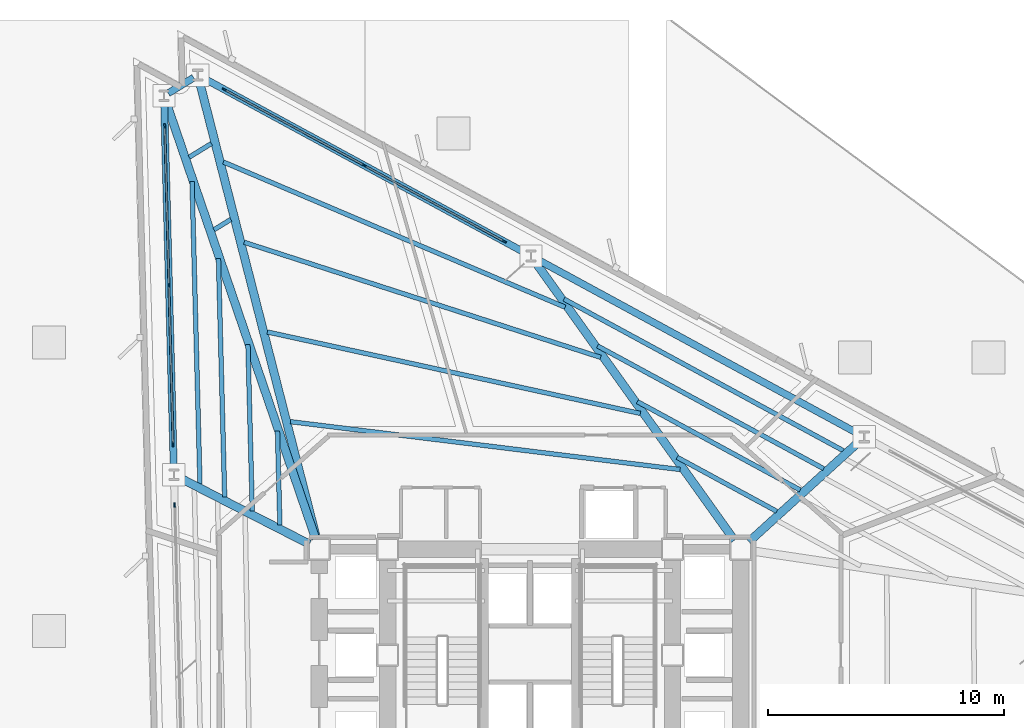
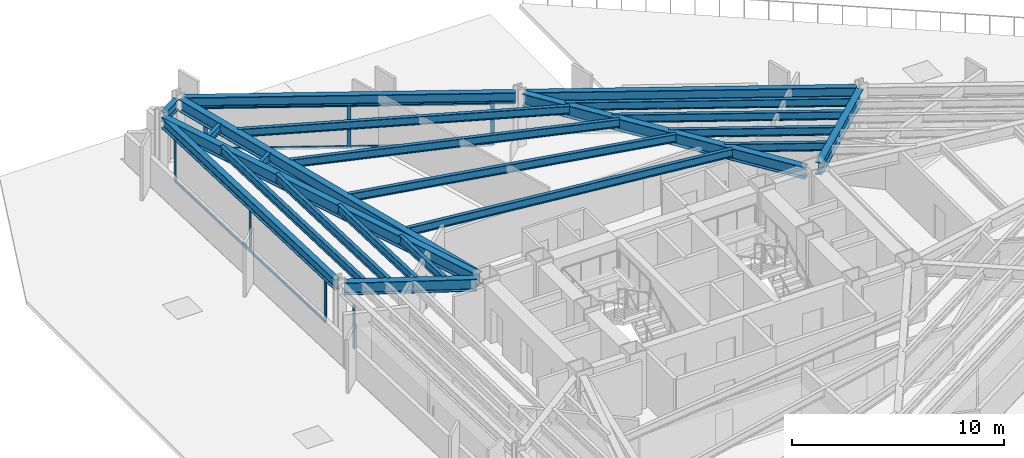
# One storey, part 5 of 13: 23 beams, 15 members, 3 elements without a shape of their own.
"""IFC4 building model written with IfcOpenShell, lengths in metres."""

from ifc_helpers import new_model, si_unit, direction, frame, origin, origin_2d, place, context, subcontext, project, spatial, rectangle, i_section, extrude, material, layer, layer_set, material_profile, profile_set, type_object, element, aggregate, save


model = new_model("IFC4")

# Units and contexts
model_context = context("Model", 3, precision=1e-05, world=origin(), true_north=direction((0.0, 1.0)))
body_context = subcontext(model_context, "Body", "Model", "MODEL_VIEW")
ifc_project = project(units=[si_unit("LENGTHUNIT", "METRE"), si_unit("AREAUNIT", "SQUARE_METRE"), si_unit("VOLUMEUNIT", "CUBIC_METRE"), si_unit("PLANEANGLEUNIT", "RADIAN"), si_unit("MASSUNIT", "GRAM", prefix="KILO")], contexts=[model_context])

# Site, building, storey
site_placement = place(None, origin())
site = spatial("IfcSite", under=ifc_project, at=site_placement, CompositionType="ELEMENT")
building_placement = place(site_placement, origin())
building = spatial("IfcBuilding", under=site, at=building_placement, Name="Rocaltana Carrier Exchange", CompositionType="ELEMENT")
storey_placement = place(building_placement, frame((0.0, 0.0, 18.8798828125)))
storey = spatial("IfcBuildingStorey", under=building, at=storey_placement, Name="L06", CompositionType="ELEMENT", Elevation=18.8798828125)

# Curtain wall, members
ifc_material_1 = material(Name="Aluminium 6063-T6", Category="aluminium")
ifc_layer = layer(ifc_material_1, 0.179931640625)
ifc_layer_set = layer_set([ifc_layer], Name="Aluminium 6063-T6")
curtain_wall_type = type_object("IfcCurtainWallType", Name="Sandstone Spandrel Unitised Curtain Wall CW-01", PredefinedType="NOTDEFINED", material=ifc_layer_set)
curtain_wall_1_placement = place(storey_placement, origin())
curtain_wall_1 = element("IfcCurtainWall", 1, at=curtain_wall_1_placement, inside=storey, type_object=curtain_wall_type, Name="L06 CW-01 Run CW-L06-F1S3", PredefinedType="NOTDEFINED")
ifc_material_2 = material(Name="Aluminium 6063-T6", Category="aluminium")
ifc_material_profile_1 = material_profile(ifc_material_2, rectangle(XDim=0.06494140625, YDim=0.179931640625, at=origin_2d()), Name="AL-65X180")
ifc_profile_set_1 = profile_set([ifc_material_profile_1], Name="Aluminium 6063-T6")
member_type_1 = type_object("IfcMemberType", Name="CW-01 Mullion AL-65X180", PredefinedType="MULLION", material=ifc_profile_set_1)
member_1_placement = place(storey_placement, frame((-1.08447265625, 17.5615234375, 0.0), z_axis=(0.0, 0.0, 1.0), x_axis=(-0.477155794406, -0.878818722982, 0.0)))
member_1 = element("IfcMember", 2, at=member_1_placement, type_object=member_type_1, Name="CW-01 mullion 1", PredefinedType="MULLION", context=body_context, shape_type="SweptSolid", body=[
    extrude(rectangle(XDim=0.06494140625, YDim=0.179931640625, at=origin_2d()), origin(), (0.0, 0.0, 1.0), 2.47802734375),
])
member_2_placement = place(storey_placement, frame((-7.03173828125, 20.79052734375, 0.0), z_axis=(0.0, 0.0, 1.0), x_axis=(-0.477155794406, -0.878818722982, 0.0)))
member_2 = element("IfcMember", 3, at=member_2_placement, type_object=member_type_1, Name="CW-01 mullion 2", PredefinedType="MULLION", context=body_context, shape_type="SweptSolid", body=[
    extrude(rectangle(XDim=0.06494140625, YDim=0.179931640625, at=origin_2d()), origin(), (0.0, 0.0, 1.0), 2.47802734375),
])
member_3_placement = place(storey_placement, frame((-12.979248046875, 24.019775390625, 0.0), z_axis=(0.0, 0.0, 1.0), x_axis=(-0.477155794406, -0.878818722982, 0.0)))
member_3 = element("IfcMember", 4, at=member_3_placement, type_object=member_type_1, Name="CW-01 mullion 3", PredefinedType="MULLION", context=body_context, shape_type="SweptSolid", body=[
    extrude(rectangle(XDim=0.06494140625, YDim=0.179931640625, at=origin_2d()), origin(), (0.0, 0.0, 1.0), 2.47802734375),
])

curtain_wall_2_placement = place(storey_placement, origin())
curtain_wall_2 = element("IfcCurtainWall", 5, at=curtain_wall_2_placement, inside=storey, type_object=curtain_wall_type, Name="L06 CW-01 Run CW-L06-F2S1", PredefinedType="NOTDEFINED")
member_4_placement = place(storey_placement, frame((-15.50927734375, 22.46923828125, 0.0), z_axis=(0.0, 0.0, 1.0), x_axis=(0.999657143044, 0.026183895077, 0.0)))
member_4 = element("IfcMember", 6, at=member_4_placement, type_object=member_type_1, Name="CW-01 mullion 1", PredefinedType="MULLION", context=body_context, shape_type="SweptSolid", body=[
    extrude(rectangle(XDim=0.06494140625, YDim=0.179931640625, at=origin_2d()), origin(), (0.0, 0.0, 1.0), 2.47802734375),
])
member_5_placement = place(storey_placement, frame((-15.33203125, 15.7041015625, 0.0), z_axis=(0.0, 0.0, 1.0), x_axis=(0.999657143044, 0.026183895077, 0.0)))
member_5 = element("IfcMember", 7, at=member_5_placement, type_object=member_type_1, Name="CW-01 mullion 2", PredefinedType="MULLION", context=body_context, shape_type="SweptSolid", body=[
    extrude(rectangle(XDim=0.06494140625, YDim=0.179931640625, at=origin_2d()), origin(), (0.0, 0.0, 1.0), 2.47802734375),
])
member_6_placement = place(storey_placement, frame((-15.155029296875, 8.93896484375, 0.0), z_axis=(0.0, 0.0, 1.0), x_axis=(0.999657143044, 0.026183895077, 0.0)))
member_6 = element("IfcMember", 8, at=member_6_placement, type_object=member_type_1, Name="CW-01 mullion 3", PredefinedType="MULLION", context=body_context, shape_type="SweptSolid", body=[
    extrude(rectangle(XDim=0.06494140625, YDim=0.179931640625, at=origin_2d()), origin(), (0.0, 0.0, 1.0), 2.47802734375),
])

# Curtain wall, member
curtain_wall_3_placement = place(storey_placement, origin())
curtain_wall_3 = element("IfcCurtainWall", 9, at=curtain_wall_3_placement, inside=storey, type_object=curtain_wall_type, Name="L06 CW-01 Run CW-L06-F2S2", PredefinedType="NOTDEFINED")
member_7_placement = place(storey_placement, frame((-15.087890625, 6.374755859375, 0.0), z_axis=(0.0, 0.0, 1.0), x_axis=(0.99965733548, 0.026176547142, 0.0)))
member_7 = element("IfcMember", 10, at=member_7_placement, type_object=member_type_1, Name="CW-01 mullion 1", PredefinedType="MULLION", context=body_context, shape_type="SweptSolid", body=[
    extrude(rectangle(XDim=0.06494140625, YDim=0.179931640625, at=origin_2d()), origin(), (0.0, 0.0, 1.0), 2.47802734375),
])
aggregate(curtain_wall_3, [member_7])

# Member
ifc_material_3 = material(Name="Aluminium 6063-T6", Category="aluminium")
ifc_material_profile_2 = material_profile(ifc_material_3, rectangle(XDim=0.06494140625, YDim=0.179931640625, at=origin_2d()), Name="AL-65X180")
ifc_profile_set_2 = profile_set([ifc_material_profile_2], Name="Aluminium 6063-T6")
member_type_2 = type_object("IfcMemberType", Name="CW-01 Transom AL-65X180", PredefinedType="USERDEFINED", material=ifc_profile_set_2)
member_8_placement = place(storey_placement, frame((-1.113037109375, 17.576904296875, 0.03271484375), z_axis=(-0.87880717191, 0.477177068392, 0.0), x_axis=(-0.477177068392, -0.87880717191, 0.0)))
member_8 = element("IfcMember", 11, at=member_8_placement, type_object=member_type_2, Name="CW-01 transom 1.1", ObjectType="TRANSOM", PredefinedType="USERDEFINED", context=body_context, shape_type="SweptSolid", body=[
    extrude(rectangle(XDim=0.06494140625, YDim=0.179931640625, at=origin_2d()), origin(), (0.0, 0.0, 1.0), 6.702392578125),
])

member_9_placement = place(storey_placement, frame((-1.113037109375, 17.576904296875, 2.445556640625), z_axis=(-0.87880717191, 0.477177068392, 0.0), x_axis=(-0.477177068392, -0.87880717191, 0.0)))
member_9 = element("IfcMember", 12, at=member_9_placement, type_object=member_type_2, Name="CW-01 transom 1.2", ObjectType="TRANSOM", PredefinedType="USERDEFINED", context=body_context, shape_type="SweptSolid", body=[
    extrude(rectangle(XDim=0.06494140625, YDim=0.179931640625, at=origin_2d()), origin(), (0.0, 0.0, 1.0), 6.702392578125),
])

member_10_placement = place(storey_placement, frame((-7.060302734375, 20.80615234375, 0.03271484375), z_axis=(-0.878830739565, 0.477133661772, 0.0), x_axis=(-0.477133661772, -0.878830739565, 0.0)))
member_10 = element("IfcMember", 13, at=member_10_placement, type_object=member_type_2, Name="CW-01 transom 2.1", ObjectType="TRANSOM", PredefinedType="USERDEFINED", context=body_context, shape_type="SweptSolid", body=[
    extrude(rectangle(XDim=0.06494140625, YDim=0.179931640625, at=origin_2d()), origin(), (0.0, 0.0, 1.0), 6.70263671875),
])

member_11_placement = place(storey_placement, frame((-7.060302734375, 20.80615234375, 2.445556640625), z_axis=(-0.878830739565, 0.477133661772, 0.0), x_axis=(-0.477133661772, -0.878830739565, 0.0)))
member_11 = element("IfcMember", 14, at=member_11_placement, type_object=member_type_2, Name="CW-01 transom 2.2", ObjectType="TRANSOM", PredefinedType="USERDEFINED", context=body_context, shape_type="SweptSolid", body=[
    extrude(rectangle(XDim=0.06494140625, YDim=0.179931640625, at=origin_2d()), origin(), (0.0, 0.0, 1.0), 6.70263671875),
])

aggregate(curtain_wall_1, [member_1, member_2, member_3, member_8, member_9, member_10, member_11])

member_12_placement = place(storey_placement, frame((-15.508544921875, 22.436767578125, 0.03271484375), z_axis=(0.026189818331, -0.999656987879, 0.0), x_axis=(0.999656987879, 0.026189818331, 0.0)))
member_12 = element("IfcMember", 15, at=member_12_placement, type_object=member_type_2, Name="CW-01 transom 1.1", ObjectType="TRANSOM", PredefinedType="USERDEFINED", context=body_context, shape_type="SweptSolid", body=[
    extrude(rectangle(XDim=0.06494140625, YDim=0.179931640625, at=origin_2d()), origin(), (0.0, 0.0, 1.0), 6.702392578125),
])

member_13_placement = place(storey_placement, frame((-15.508544921875, 22.436767578125, 2.445556640625), z_axis=(0.026189818331, -0.999656987879, 0.0), x_axis=(0.999656987879, 0.026189818331, 0.0)))
member_13 = element("IfcMember", 16, at=member_13_placement, type_object=member_type_2, Name="CW-01 transom 1.2", ObjectType="TRANSOM", PredefinedType="USERDEFINED", context=body_context, shape_type="SweptSolid", body=[
    extrude(rectangle(XDim=0.06494140625, YDim=0.179931640625, at=origin_2d()), origin(), (0.0, 0.0, 1.0), 6.702392578125),
])

member_14_placement = place(storey_placement, frame((-15.331298828125, 15.671630859375, 0.03271484375), z_axis=(0.026189818331, -0.999656987879, 0.0), x_axis=(0.999656987879, 0.026189818331, 0.0)))
member_14 = element("IfcMember", 17, at=member_14_placement, type_object=member_type_2, Name="CW-01 transom 2.1", ObjectType="TRANSOM", PredefinedType="USERDEFINED", context=body_context, shape_type="SweptSolid", body=[
    extrude(rectangle(XDim=0.06494140625, YDim=0.179931640625, at=origin_2d()), origin(), (0.0, 0.0, 1.0), 6.702392578125),
])

member_15_placement = place(storey_placement, frame((-15.331298828125, 15.671630859375, 2.445556640625), z_axis=(0.026189818331, -0.999656987879, 0.0), x_axis=(0.999656987879, 0.026189818331, 0.0)))
member_15 = element("IfcMember", 18, at=member_15_placement, type_object=member_type_2, Name="CW-01 transom 2.2", ObjectType="TRANSOM", PredefinedType="USERDEFINED", context=body_context, shape_type="SweptSolid", body=[
    extrude(rectangle(XDim=0.06494140625, YDim=0.179931640625, at=origin_2d()), origin(), (0.0, 0.0, 1.0), 6.702392578125),
])

aggregate(curtain_wall_2, [member_4, member_5, member_6, member_12, member_13, member_14, member_15])

# Beams
ifc_material_4 = material(Name="Steel S355", Category="steel")
ifc_material_profile_3 = material_profile(ifc_material_4, i_section(OverallWidth=0.193115234375, OverallDepth=0.466064453125, WebThickness=0.011474609375, FlangeThickness=0.01904296875, FilletRadius=0.013916015625, at=origin_2d()), Name="W18X65")
ifc_profile_set_3 = profile_set([ifc_material_profile_3], Name="Steel S355")
beam_type_1 = type_object("IfcBeamType", Name="Floor Joist W18X65", PredefinedType="JOIST", material=ifc_profile_set_3)
beam_1_placement = place(storey_placement, frame((10.4765625, 6.107421875, 2.865234375), z_axis=(-0.87880781256, 0.477175888518, 0.0), x_axis=(-0.477175888518, -0.87880781256, 0.0)))
element("IfcBeam", 19, at=beam_1_placement, inside=storey, type_object=beam_type_1, Name="FJ-L06-02-1", PredefinedType="JOIST", context=body_context, shape_type="SweptSolid", body=[
    extrude(i_section(OverallWidth=0.193115234375, OverallDepth=0.466064453125, WebThickness=0.011474609375, FlangeThickness=0.01904296875, FilletRadius=0.013916015625, at=origin_2d()), origin(), (0.0, 0.0, 1.0), 4.808837890625),
])
beam_2_placement = place(storey_placement, frame((11.472412109375, 7.01318359375, 2.865234375), z_axis=(-0.878817742056, 0.477157601059, 0.0), x_axis=(-0.477157601059, -0.878817742056, 0.0)))
element("IfcBeam", 20, at=beam_2_placement, inside=storey, type_object=beam_type_1, Name="FJ-L06-02-2", PredefinedType="JOIST", context=body_context, shape_type="SweptSolid", body=[
    extrude(i_section(OverallWidth=0.193115234375, OverallDepth=0.466064453125, WebThickness=0.011474609375, FlangeThickness=0.01904296875, FilletRadius=0.013916015625, at=origin_2d()), origin(), (0.0, 0.0, 1.0), 7.86767578125),
])
beam_3_placement = place(storey_placement, frame((12.468505859375, 7.918701171875, 2.865234375), z_axis=(-0.878813547662, 0.477165326115, 0.0), x_axis=(-0.477165326115, -0.878813547662, 0.0)))
element("IfcBeam", 21, at=beam_3_placement, inside=storey, type_object=beam_type_1, Name="FJ-L06-02-3", PredefinedType="JOIST", context=body_context, shape_type="SweptSolid", body=[
    extrude(i_section(OverallWidth=0.193115234375, OverallDepth=0.466064453125, WebThickness=0.011474609375, FlangeThickness=0.01904296875, FilletRadius=0.013916015625, at=origin_2d()), origin(), (0.0, 0.0, 1.0), 10.92724609375),
])
beam_4_placement = place(storey_placement, frame((13.30712890625, 8.681396484375, 2.865234375), z_axis=(-0.878808808583, 0.477174054152, 0.0), x_axis=(-0.477174054152, -0.878808808583, 0.0)))
element("IfcBeam", 22, at=beam_4_placement, inside=storey, type_object=beam_type_1, Name="FJ-L06-02-4", PredefinedType="JOIST", context=body_context, shape_type="SweptSolid", body=[
    extrude(i_section(OverallWidth=0.193115234375, OverallDepth=0.466064453125, WebThickness=0.011474609375, FlangeThickness=0.01904296875, FilletRadius=0.013916015625, at=origin_2d()), origin(), (0.0, 0.0, 1.0), 13.503173828125),
])
beam_5_placement = place(storey_placement, frame((6.374755859375, 7.882080078125, 2.865234375), z_axis=(-0.992538792143, 0.121929266752, 0.0), x_axis=(-0.121929266752, -0.992538792143, 0.0)))
element("IfcBeam", 23, at=beam_5_placement, inside=storey, type_object=beam_type_1, Name="FJ-L06-03-1", PredefinedType="JOIST", context=body_context, shape_type="SweptSolid", body=[
    extrude(i_section(OverallWidth=0.193115234375, OverallDepth=0.466064453125, WebThickness=0.011474609375, FlangeThickness=0.01904296875, FilletRadius=0.013916015625, at=origin_2d()), origin(), (0.0, 0.0, 1.0), 16.671142578125),
])
beam_6_placement = place(storey_placement, frame((4.68505859375, 10.26318359375, 2.865234375), z_axis=(-0.976950483749, 0.213466044848, 0.0), x_axis=(-0.213466044848, -0.976950483749, 0.0)))
element("IfcBeam", 24, at=beam_6_placement, inside=storey, type_object=beam_type_1, Name="FJ-L06-03-2", PredefinedType="JOIST", context=body_context, shape_type="SweptSolid", body=[
    extrude(i_section(OverallWidth=0.193115234375, OverallDepth=0.466064453125, WebThickness=0.011474609375, FlangeThickness=0.01904296875, FilletRadius=0.013916015625, at=origin_2d()), origin(), (0.0, 0.0, 1.0), 16.213134765625),
])
beam_7_placement = place(storey_placement, frame((2.9970703125, 12.644775390625, 2.865234375), z_axis=(-0.951601211607, 0.307335539872, 0.0), x_axis=(-0.307335539872, -0.951601211607, 0.0)))
element("IfcBeam", 25, at=beam_7_placement, inside=storey, type_object=beam_type_1, Name="FJ-L06-03-3", PredefinedType="JOIST", context=body_context, shape_type="SweptSolid", body=[
    extrude(i_section(OverallWidth=0.193115234375, OverallDepth=0.466064453125, WebThickness=0.011474609375, FlangeThickness=0.01904296875, FilletRadius=0.013916015625, at=origin_2d()), origin(), (0.0, 0.0, 1.0), 15.905029296875),
])
beam_8_placement = place(storey_placement, frame((1.48828125, 14.775634765625, 2.865234375), z_axis=(-0.920350290518, 0.391095055891, 0.0), x_axis=(-0.391095055891, -0.920350290518, 0.0)))
element("IfcBeam", 26, at=beam_8_placement, inside=storey, type_object=beam_type_1, Name="FJ-L06-03-4", PredefinedType="JOIST", context=body_context, shape_type="SweptSolid", body=[
    extrude(i_section(OverallWidth=0.193115234375, OverallDepth=0.466064453125, WebThickness=0.011474609375, FlangeThickness=0.01904296875, FilletRadius=0.013916015625, at=origin_2d()), origin(), (0.0, 0.0, 1.0), 15.76416015625),
])
beam_9_placement = place(storey_placement, frame((-12.70556640625, 18.502685546875, 2.865234375), z_axis=(-0.852508958132, -0.522712613493, 0.0), x_axis=(0.522712613493, -0.852508958132, 0.0)))
element("IfcBeam", 27, at=beam_9_placement, inside=storey, type_object=beam_type_1, Name="FJ-L06-04-3", PredefinedType="JOIST", context=body_context, shape_type="SweptSolid", body=[
    extrude(i_section(OverallWidth=0.193115234375, OverallDepth=0.466064453125, WebThickness=0.011474609375, FlangeThickness=0.01904296875, FilletRadius=0.013916015625, at=origin_2d()), origin(), (0.0, 0.0, 1.0), 0.83642578125),
])
beam_10_placement = place(storey_placement, frame((-13.530517578125, 21.7236328125, 2.865234375), z_axis=(-0.852664692341, -0.52245853657, 0.0), x_axis=(0.52245853657, -0.852664692341, 0.0)))
element("IfcBeam", 28, at=beam_10_placement, inside=storey, type_object=beam_type_1, Name="FJ-L06-04-4", PredefinedType="JOIST", context=body_context, shape_type="SweptSolid", body=[
    extrude(i_section(OverallWidth=0.193115234375, OverallDepth=0.466064453125, WebThickness=0.011474609375, FlangeThickness=0.01904296875, FilletRadius=0.013916015625, at=origin_2d()), origin(), (0.0, 0.0, 1.0), 1.106201171875),
])
beam_11_placement = place(storey_placement, frame((-10.7255859375, 9.5263671875, 2.865234375), z_axis=(0.02615756085, -0.999657832466, 0.0), x_axis=(0.999657832466, 0.02615756085, 0.0)))
element("IfcBeam", 29, at=beam_11_placement, inside=storey, type_object=beam_type_1, Name="FJ-L06-05-1", PredefinedType="JOIST", context=body_context, shape_type="SweptSolid", body=[
    extrude(i_section(OverallWidth=0.193115234375, OverallDepth=0.466064453125, WebThickness=0.011474609375, FlangeThickness=0.01904296875, FilletRadius=0.013916015625, at=origin_2d()), origin(), (0.0, 0.0, 1.0), 4.004150390625),
])
beam_12_placement = place(storey_placement, frame((-11.978271484375, 13.18408203125, 2.865234375), z_axis=(0.026201236861, -0.999656688662, 0.0), x_axis=(0.999656688662, 0.026201236861, 0.0)))
element("IfcBeam", 30, at=beam_12_placement, inside=storey, type_object=beam_type_1, Name="FJ-L06-05-2", PredefinedType="JOIST", context=body_context, shape_type="SweptSolid", body=[
    extrude(i_section(OverallWidth=0.193115234375, OverallDepth=0.466064453125, WebThickness=0.011474609375, FlangeThickness=0.01904296875, FilletRadius=0.013916015625, at=origin_2d()), origin(), (0.0, 0.0, 1.0), 7.06298828125),
])
beam_13_placement = place(storey_placement, frame((-13.23095703125, 16.841796875, 2.865234375), z_axis=(0.026194410862, -0.99965686755, 0.0), x_axis=(0.99965686755, 0.026194410862, 0.0)))
element("IfcBeam", 31, at=beam_13_placement, inside=storey, type_object=beam_type_1, Name="FJ-L06-05-3", PredefinedType="JOIST", context=body_context, shape_type="SweptSolid", body=[
    extrude(i_section(OverallWidth=0.193115234375, OverallDepth=0.466064453125, WebThickness=0.011474609375, FlangeThickness=0.01904296875, FilletRadius=0.013916015625, at=origin_2d()), origin(), (0.0, 0.0, 1.0), 10.121826171875),
])
beam_14_placement = place(storey_placement, frame((-14.351806640625, 20.114501953125, 2.865234375), z_axis=(0.026200832731, -0.999656699254, 0.0), x_axis=(0.999656699254, 0.026200832731, 0.0)))
element("IfcBeam", 32, at=beam_14_placement, inside=storey, type_object=beam_type_1, Name="FJ-L06-05-4", PredefinedType="JOIST", context=body_context, shape_type="SweptSolid", body=[
    extrude(i_section(OverallWidth=0.193115234375, OverallDepth=0.466064453125, WebThickness=0.011474609375, FlangeThickness=0.01904296875, FilletRadius=0.013916015625, at=origin_2d()), origin(), (0.0, 0.0, 1.0), 12.85888671875),
])
ifc_material_5 = material(Name="Steel S355", Category="steel")
ifc_material_profile_4 = material_profile(ifc_material_5, i_section(OverallWidth=0.35498046875, OverallDepth=0.695068359375, WebThickness=0.015380859375, FlangeThickness=0.02490234375, FilletRadius=0.01806640625, at=origin_2d()), Name="W27X146")
ifc_profile_set_4 = profile_set([ifc_material_profile_4], Name="Steel S355")
beam_type_2 = type_object("IfcBeamType", Name="Radial Girder W27X146", PredefinedType="BEAM", material=ifc_profile_set_4)
beam_15_placement = place(storey_placement, frame((9.29541015625, 4.814208984375, 2.750732421875), z_axis=(0.73980908692, 0.672816850941, 0.0), x_axis=(-0.672816850941, 0.73980908692, 0.0)))
element("IfcBeam", 33, at=beam_15_placement, inside=storey, type_object=beam_type_2, Name="RG-L06-02", PredefinedType="BEAM", context=body_context, shape_type="SweptSolid", body=[
    extrude(i_section(OverallWidth=0.35498046875, OverallDepth=0.695068359375, WebThickness=0.015380859375, FlangeThickness=0.02490234375, FilletRadius=0.01806640625, at=origin_2d()), origin(), (0.0, 0.0, 1.0), 6.410400390625),
])
beam_16_placement = place(storey_placement, frame((8.67822265625, 4.8798828125, 2.750732421875), z_axis=(-0.581877216918, 0.813276646924, 0.0), x_axis=(-0.813276646924, -0.581877216918, 0.0)))
element("IfcBeam", 34, at=beam_16_placement, inside=storey, type_object=beam_type_2, Name="RG-L06-03", PredefinedType="BEAM", context=body_context, shape_type="SweptSolid", body=[
    extrude(i_section(OverallWidth=0.35498046875, OverallDepth=0.695068359375, WebThickness=0.015380859375, FlangeThickness=0.02490234375, FilletRadius=0.01806640625, at=origin_2d()), origin(), (0.0, 0.0, 1.0), 14.632568359375),
])
beam_17_placement = place(storey_placement, frame((-9.06591796875, 4.952392578125, 2.750732421875), z_axis=(-0.24811709333, 0.968730049084, 0.0), x_axis=(-0.968730049084, -0.24811709333, 0.0)))
element("IfcBeam", 35, at=beam_17_placement, inside=storey, type_object=beam_type_2, Name="RG-L06-04", PredefinedType="BEAM", context=body_context, shape_type="SweptSolid", body=[
    extrude(i_section(OverallWidth=0.35498046875, OverallDepth=0.695068359375, WebThickness=0.015380859375, FlangeThickness=0.02490234375, FilletRadius=0.01806640625, at=origin_2d()), origin(), (0.0, 0.0, 1.0), 20.1064453125),
])
beam_18_placement = place(storey_placement, frame((-9.101318359375, 4.94189453125, 2.750732421875), z_axis=(-0.3239978436, 0.946057819239, 0.0), x_axis=(-0.946057819239, -0.3239978436, 0.0)))
element("IfcBeam", 36, at=beam_18_placement, inside=storey, type_object=beam_type_2, Name="RG-L06-05", PredefinedType="BEAM", context=body_context, shape_type="SweptSolid", body=[
    extrude(i_section(OverallWidth=0.35498046875, OverallDepth=0.695068359375, WebThickness=0.015380859375, FlangeThickness=0.02490234375, FilletRadius=0.01806640625, at=origin_2d()), origin(), (0.0, 0.0, 1.0), 19.673828125),
])
beam_19_placement = place(storey_placement, frame((-9.36572265625, 4.712646484375, 2.750732421875), z_axis=(-0.890292679997, 0.455388783287, 0.0), x_axis=(-0.455388783287, -0.890292679997, 0.0)))
element("IfcBeam", 37, at=beam_19_placement, inside=storey, type_object=beam_type_2, Name="RG-L06-06", PredefinedType="BEAM", context=body_context, shape_type="SweptSolid", body=[
    extrude(i_section(OverallWidth=0.35498046875, OverallDepth=0.695068359375, WebThickness=0.015380859375, FlangeThickness=0.02490234375, FilletRadius=0.01806640625, at=origin_2d()), origin(), (0.0, 0.0, 1.0), 6.257080078125),
])
ifc_material_6 = material(Name="Steel S355", Category="steel")
ifc_material_profile_5 = material_profile(ifc_material_6, i_section(OverallWidth=0.300048828125, OverallDepth=0.60009765625, WebThickness=0.015380859375, FlangeThickness=0.030029296875, FilletRadius=0.027099609375, at=origin_2d()), Name="HEB600")
ifc_profile_set_5 = profile_set([ifc_material_profile_5], Name="Steel S355")
beam_type_3 = type_object("IfcBeamType", Name="Spandrel Edge Beam HEB600", PredefinedType="SPANDREL", material=ifc_profile_set_5)
for number, where, z_axis, x_axis, name in (
    (38, (14.0087890625, 9.3662109375, 2.798095703125), (-0.8788112834, 0.477169496269, 0.0), (-0.477169496269, -0.8788112834, 0.0), "SP-L06-02"),
    (39, (-0.14013671875, 17.048583984375, 2.798095703125), (-0.8788112834, 0.477169496269, 0.0), (-0.477169496269, -0.8788112834, 0.0), "SP-L06-03"),
):
    element("IfcBeam", number, at=place(storey_placement, frame(where, z_axis=z_axis, x_axis=x_axis)), inside=storey, type_object=beam_type_3, Name=name, PredefinedType="SPANDREL", context=body_context, shape_type="SweptSolid", body=[
        extrude(i_section(OverallWidth=0.300048828125, OverallDepth=0.60009765625, WebThickness=0.015380859375, FlangeThickness=0.030029296875, FilletRadius=0.027099609375, at=origin_2d()), origin(), (0.0, 0.0, 1.0), 15.683837890625),
    ])
beam_20_placement = place(storey_placement, frame((-14.283447265625, 24.52294921875, 2.798095703125), z_axis=(-0.852720134586, -0.522368042735, 0.0), x_axis=(0.522368042735, -0.852720134586, 0.0)))
element("IfcBeam", 40, at=beam_20_placement, inside=storey, type_object=beam_type_3, Name="SP-L06-04", PredefinedType="SPANDREL", context=body_context, shape_type="SweptSolid", body=[
    extrude(i_section(OverallWidth=0.300048828125, OverallDepth=0.60009765625, WebThickness=0.015380859375, FlangeThickness=0.030029296875, FilletRadius=0.027099609375, at=origin_2d()), origin(), (0.0, 0.0, 1.0), 1.268798828125),
])
beam_21_placement = place(storey_placement, frame((-15.53759765625, 23.54345703125, 2.798095703125), z_axis=(0.026197794439, -0.999656778883, 0.0), x_axis=(0.999656778883, 0.026197794439, 0.0)))
element("IfcBeam", 41, at=beam_21_placement, inside=storey, type_object=beam_type_3, Name="SP-L06-05", PredefinedType="SPANDREL", context=body_context, shape_type="SweptSolid", body=[
    extrude(i_section(OverallWidth=0.300048828125, OverallDepth=0.60009765625, WebThickness=0.015380859375, FlangeThickness=0.030029296875, FilletRadius=0.027099609375, at=origin_2d()), origin(), (0.0, 0.0, 1.0), 15.68408203125),
])

save(model, "model.ifc")
